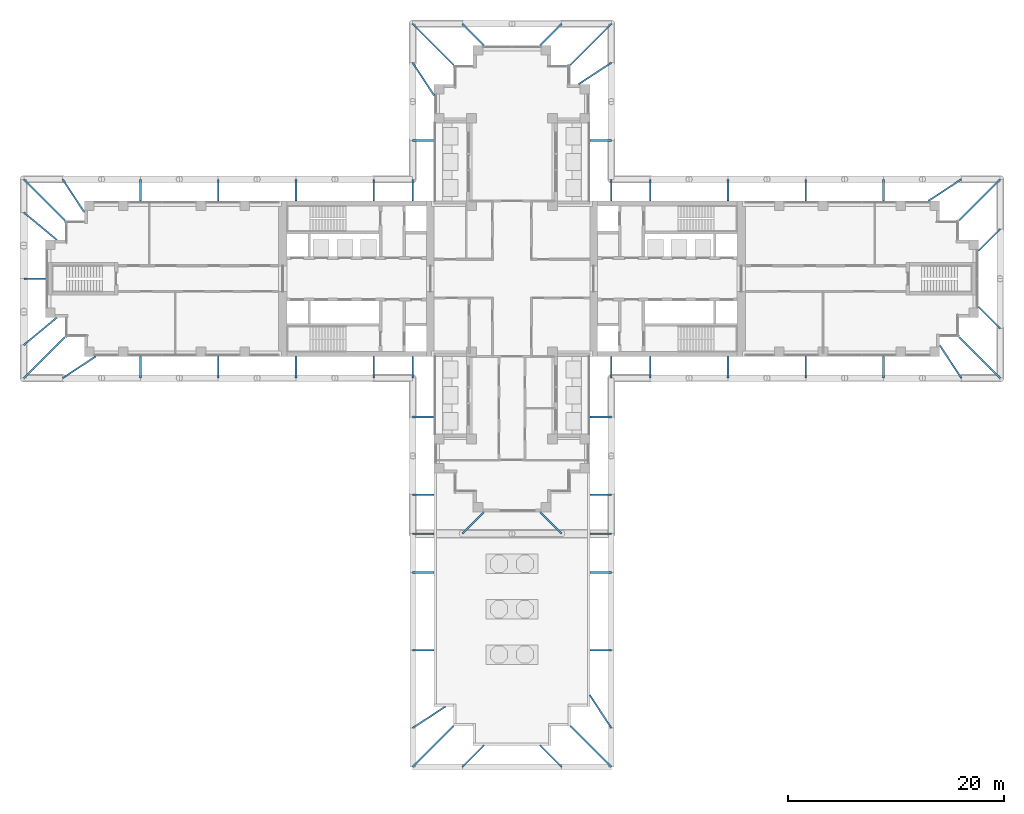
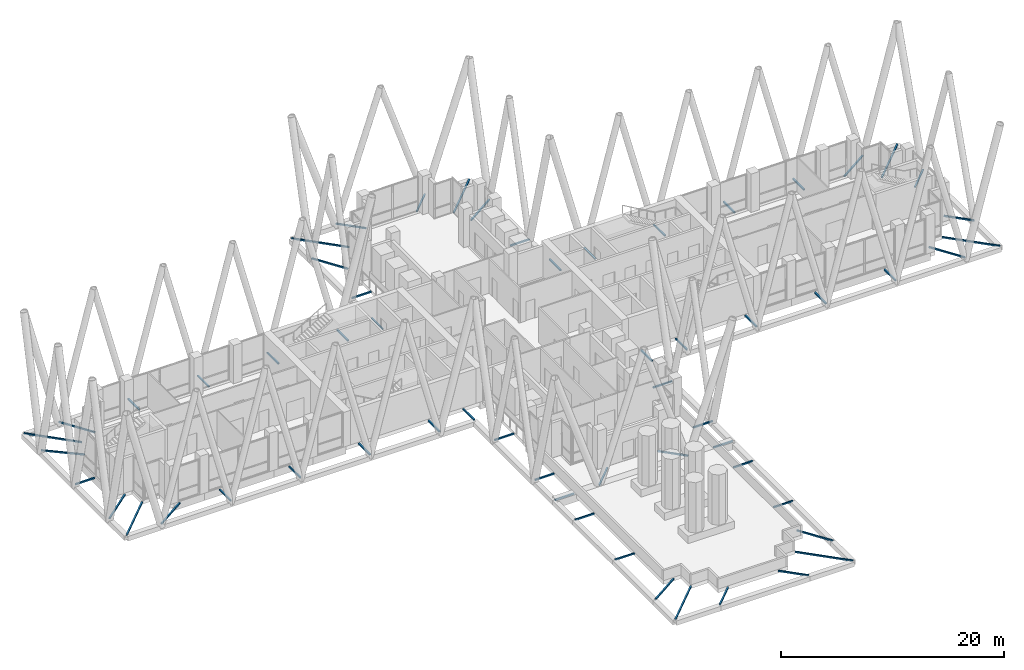
# One storey, part 19 of 22: 59 discrete accessories.
"""IFC4 building model written with IfcOpenShell, lengths in metres."""

from ifc_helpers import new_model, si_unit, direction, frame, origin, origin_2d, place, context, subcontext, project, spatial, hollow_rectangle, extrude, material, element, save


model = new_model("IFC4")

# Units and contexts
model_context = context("Model", 3, precision=1e-05, world=origin(), true_north=direction((0.0, 1.0)))
body_context = subcontext(model_context, "Body", "Model", "MODEL_VIEW")
ifc_project = project(units=[si_unit("LENGTHUNIT", "METRE"), si_unit("AREAUNIT", "SQUARE_METRE"), si_unit("VOLUMEUNIT", "CUBIC_METRE"), si_unit("PLANEANGLEUNIT", "RADIAN"), si_unit("MASSUNIT", "GRAM", prefix="KILO")], contexts=[model_context])

# Site, building, storey
site_placement = place(None, origin())
site = spatial("IfcSite", under=ifc_project, at=site_placement, CompositionType="ELEMENT")
building_placement = place(site_placement, origin())
building = spatial("IfcBuilding", under=site, at=building_placement, Name="Fustian Cross Tower", CompositionType="ELEMENT")
storey_placement = place(building_placement, frame((0.0, 0.0, 116.10009765625)))
storey = spatial("IfcBuildingStorey", under=building, at=storey_placement, Name="L36", CompositionType="ELEMENT", Elevation=116.10009765625)

# Discrete accessories
ifc_material = material(Name="Steel S355", Category="steel")
discrete_accessory_1_placement = place(storey_placement, frame((45.199951171875, 4.60009765625, -0.150146484375), z_axis=(-0.707106781187, -0.707106781187, 0.0), x_axis=(0.707106781187, -0.707106781187, 0.0)))
element("IfcDiscreteAccessory", 1, at=discrete_accessory_1_placement, inside=storey, material=ifc_material, Name="Diagrid node bracket L36-01", PredefinedType="BRACKET", context=body_context, shape_type="SweptSolid", body=[
    extrude(hollow_rectangle(XDim=0.14990234375, YDim=0.14990234375, WallThickness=0.010009765625, at=origin_2d()), origin(), (0.0, 0.0, 1.0), 2.828369140625),
])
discrete_accessory_2_placement = place(storey_placement, frame((45.199951171875, 9.199951171875, -0.150146484375), z_axis=(-0.707106781187, -0.707106781187, 0.0), x_axis=(0.707106781187, -0.707106781187, 0.0)))
element("IfcDiscreteAccessory", 2, at=discrete_accessory_2_placement, inside=storey, material=ifc_material, Name="Diagrid node bracket L36-02", PredefinedType="BRACKET", context=body_context, shape_type="SweptSolid", body=[
    extrude(hollow_rectangle(XDim=0.14990234375, YDim=0.14990234375, WallThickness=0.010009765625, at=origin_2d()), origin(), (0.0, 0.0, 1.0), 5.3740234375),
])
discrete_accessory_3_placement = place(storey_placement, frame((41.60009765625, 9.199951171875, -0.150146484375), z_axis=(-0.836248392914, -0.548350823241, 0.0), x_axis=(0.548350823241, -0.836248392914, 0.0)))
element("IfcDiscreteAccessory", 3, at=discrete_accessory_3_placement, inside=storey, material=ifc_material, Name="Diagrid node bracket L36-03", PredefinedType="BRACKET", context=body_context, shape_type="SweptSolid", body=[
    extrude(hollow_rectangle(XDim=0.14990234375, YDim=0.14990234375, WallThickness=0.010009765625, at=origin_2d()), origin(), (0.0, 0.0, 1.0), 3.647216796875),
])
for number, where, z_axis, x_axis, name in (
    (4, (34.39990234375, 9.199951171875, -0.150146484375), (0.0, -1.0, 0.0), (1.0, 0.0, 0.0), "Diagrid node bracket L36-04"),
    (5, (27.199951171875, 9.199951171875, -0.150146484375), (0.0, -1.0, 0.0), (1.0, 0.0, 0.0), "Diagrid node bracket L36-05"),
    (6, (20.0, 9.199951171875, -0.150146484375), (0.0, -1.0, 0.0), (1.0, 0.0, 0.0), "Diagrid node bracket L36-06"),
    (7, (12.800048828125, 9.199951171875, -0.150146484375), (0.0, -1.0, 0.0), (1.0, 0.0, 0.0), "Diagrid node bracket L36-07"),
    (8, (9.199951171875, 9.199951171875, -0.150146484375), (0.0, -1.0, 0.0), (1.0, 0.0, 0.0), "Diagrid node bracket L36-08"),
    (9, (9.199951171875, 12.800048828125, -0.150146484375), (-1.0, 0.0, 0.0), (0.0, -1.0, 0.0), "Diagrid node bracket L36-09"),
):
    element("IfcDiscreteAccessory", number, at=place(storey_placement, frame(where, z_axis=z_axis, x_axis=x_axis)), inside=storey, material=ifc_material, Name=name, PredefinedType="BRACKET", context=body_context, shape_type="SweptSolid", body=[
        extrude(hollow_rectangle(XDim=0.14990234375, YDim=0.14990234375, WallThickness=0.010009765625, at=origin_2d()), origin(), (0.0, 0.0, 1.0), 2.0),
    ])
discrete_accessory_4_placement = place(storey_placement, frame((9.199951171875, 20.0, -0.150146484375), z_axis=(-0.836248392914, -0.548350823241, 0.0), x_axis=(0.548350823241, -0.836248392914, 0.0)))
element("IfcDiscreteAccessory", 10, at=discrete_accessory_4_placement, inside=storey, material=ifc_material, Name="Diagrid node bracket L36-10", PredefinedType="BRACKET", context=body_context, shape_type="SweptSolid", body=[
    extrude(hollow_rectangle(XDim=0.14990234375, YDim=0.14990234375, WallThickness=0.010009765625, at=origin_2d()), origin(), (0.0, 0.0, 1.0), 3.647216796875),
])
discrete_accessory_5_placement = place(storey_placement, frame((9.199951171875, 23.60009765625, -0.150146484375), z_axis=(-0.707106781187, -0.707106781187, 0.0), x_axis=(0.707106781187, -0.707106781187, 0.0)))
element("IfcDiscreteAccessory", 11, at=discrete_accessory_5_placement, inside=storey, material=ifc_material, Name="Diagrid node bracket L36-11", PredefinedType="BRACKET", context=body_context, shape_type="SweptSolid", body=[
    extrude(hollow_rectangle(XDim=0.14990234375, YDim=0.14990234375, WallThickness=0.010009765625, at=origin_2d()), origin(), (0.0, 0.0, 1.0), 5.3740234375),
])
for number, where, z_axis, x_axis, name in (
    (12, (4.60009765625, 23.60009765625, -0.150146484375), (-0.707106781187, -0.707106781187, 0.0), (0.707106781187, -0.707106781187, 0.0), "Diagrid node bracket L36-12"),
    (13, (-4.60009765625, 23.60009765625, -0.150146484375), (0.707106781187, -0.707106781187, 0.0), (0.707106781187, 0.707106781187, 0.0), "Diagrid node bracket L36-13"),
):
    element("IfcDiscreteAccessory", number, at=place(storey_placement, frame(where, z_axis=z_axis, x_axis=x_axis)), inside=storey, material=ifc_material, Name=name, PredefinedType="BRACKET", context=body_context, shape_type="SweptSolid", body=[
        extrude(hollow_rectangle(XDim=0.14990234375, YDim=0.14990234375, WallThickness=0.010009765625, at=origin_2d()), origin(), (0.0, 0.0, 1.0), 2.828369140625),
    ])
discrete_accessory_6_placement = place(storey_placement, frame((-9.199951171875, 23.60009765625, -0.150146484375), z_axis=(0.707106781187, -0.707106781187, 0.0), x_axis=(0.707106781187, 0.707106781187, 0.0)))
element("IfcDiscreteAccessory", 14, at=discrete_accessory_6_placement, inside=storey, material=ifc_material, Name="Diagrid node bracket L36-14", PredefinedType="BRACKET", context=body_context, shape_type="SweptSolid", body=[
    extrude(hollow_rectangle(XDim=0.14990234375, YDim=0.14990234375, WallThickness=0.010009765625, at=origin_2d()), origin(), (0.0, 0.0, 1.0), 5.3740234375),
])
discrete_accessory_7_placement = place(storey_placement, frame((-9.199951171875, 20.0, -0.150146484375), z_axis=(0.548350823241, -0.836248392914, 0.0), x_axis=(0.836248392914, 0.548350823241, 0.0)))
element("IfcDiscreteAccessory", 15, at=discrete_accessory_7_placement, inside=storey, material=ifc_material, Name="Diagrid node bracket L36-15", PredefinedType="BRACKET", context=body_context, shape_type="SweptSolid", body=[
    extrude(hollow_rectangle(XDim=0.14990234375, YDim=0.14990234375, WallThickness=0.010009765625, at=origin_2d()), origin(), (0.0, 0.0, 1.0), 3.647216796875),
])
for number, where, z_axis, x_axis, name in (
    (16, (-9.199951171875, 12.800048828125, -0.150146484375), (1.0, 0.0, 0.0), (0.0, 1.0, 0.0), "Diagrid node bracket L36-16"),
    (17, (-9.199951171875, 9.199951171875, -0.150146484375), (0.0, -1.0, 0.0), (1.0, 0.0, 0.0), "Diagrid node bracket L36-17"),
    (18, (-12.800048828125, 9.199951171875, -0.150146484375), (0.0, -1.0, 0.0), (1.0, 0.0, 0.0), "Diagrid node bracket L36-18"),
    (19, (-20.0, 9.199951171875, -0.150146484375), (0.0, -1.0, 0.0), (1.0, 0.0, 0.0), "Diagrid node bracket L36-19"),
    (20, (-27.199951171875, 9.199951171875, -0.150146484375), (0.0, -1.0, 0.0), (1.0, 0.0, 0.0), "Diagrid node bracket L36-20"),
    (21, (-34.39990234375, 9.199951171875, -0.150146484375), (0.0, -1.0, 0.0), (1.0, 0.0, 0.0), "Diagrid node bracket L36-21"),
):
    element("IfcDiscreteAccessory", number, at=place(storey_placement, frame(where, z_axis=z_axis, x_axis=x_axis)), inside=storey, material=ifc_material, Name=name, PredefinedType="BRACKET", context=body_context, shape_type="SweptSolid", body=[
        extrude(hollow_rectangle(XDim=0.14990234375, YDim=0.14990234375, WallThickness=0.010009765625, at=origin_2d()), origin(), (0.0, 0.0, 1.0), 2.0),
    ])
discrete_accessory_8_placement = place(storey_placement, frame((-41.60009765625, 9.199951171875, -0.150146484375), z_axis=(0.548350823241, -0.836248392914, 0.0), x_axis=(0.836248392914, 0.548350823241, 0.0)))
element("IfcDiscreteAccessory", 22, at=discrete_accessory_8_placement, inside=storey, material=ifc_material, Name="Diagrid node bracket L36-22", PredefinedType="BRACKET", context=body_context, shape_type="SweptSolid", body=[
    extrude(hollow_rectangle(XDim=0.14990234375, YDim=0.14990234375, WallThickness=0.010009765625, at=origin_2d()), origin(), (0.0, 0.0, 1.0), 3.647216796875),
])
discrete_accessory_9_placement = place(storey_placement, frame((-45.199951171875, 9.199951171875, -0.150146484375), z_axis=(0.707106781187, -0.707106781187, 0.0), x_axis=(0.707106781187, 0.707106781187, 0.0)))
element("IfcDiscreteAccessory", 23, at=discrete_accessory_9_placement, inside=storey, material=ifc_material, Name="Diagrid node bracket L36-23", PredefinedType="BRACKET", context=body_context, shape_type="SweptSolid", body=[
    extrude(hollow_rectangle(XDim=0.14990234375, YDim=0.14990234375, WallThickness=0.010009765625, at=origin_2d()), origin(), (0.0, 0.0, 1.0), 5.3740234375),
])
discrete_accessory_10_placement = place(storey_placement, frame((-45.199951171875, 6.13330078125, -0.150146484375), z_axis=(0.769275112648, -0.638917679408, 0.0), x_axis=(0.638917679408, 0.769275112648, 0.0)))
element("IfcDiscreteAccessory", 24, at=discrete_accessory_10_placement, inside=storey, material=ifc_material, Name="Diagrid node bracket L36-24", PredefinedType="BRACKET", context=body_context, shape_type="SweptSolid", body=[
    extrude(hollow_rectangle(XDim=0.14990234375, YDim=0.14990234375, WallThickness=0.010009765625, at=origin_2d()), origin(), (0.0, 0.0, 1.0), 3.96484375),
])
discrete_accessory_11_placement = place(storey_placement, frame((-45.199951171875, 0.0, -0.150146484375), z_axis=(1.0, 0.0, 0.0), x_axis=(0.0, 1.0, 0.0)))
element("IfcDiscreteAccessory", 25, at=discrete_accessory_11_placement, inside=storey, material=ifc_material, Name="Diagrid node bracket L36-25", PredefinedType="BRACKET", context=body_context, shape_type="SweptSolid", body=[
    extrude(hollow_rectangle(XDim=0.14990234375, YDim=0.14990234375, WallThickness=0.010009765625, at=origin_2d()), origin(), (0.0, 0.0, 1.0), 2.0),
])
discrete_accessory_12_placement = place(storey_placement, frame((-45.199951171875, -6.13330078125, -0.150146484375), z_axis=(0.769275112648, 0.638917679408, 0.0), x_axis=(-0.638917679408, 0.769275112648, 0.0)))
element("IfcDiscreteAccessory", 26, at=discrete_accessory_12_placement, inside=storey, material=ifc_material, Name="Diagrid node bracket L36-26", PredefinedType="BRACKET", context=body_context, shape_type="SweptSolid", body=[
    extrude(hollow_rectangle(XDim=0.14990234375, YDim=0.14990234375, WallThickness=0.010009765625, at=origin_2d()), origin(), (0.0, 0.0, 1.0), 3.96484375),
])
discrete_accessory_13_placement = place(storey_placement, frame((-45.199951171875, -9.199951171875, -0.150146484375), z_axis=(0.707106781187, 0.707106781187, 0.0), x_axis=(-0.707106781187, 0.707106781187, 0.0)))
element("IfcDiscreteAccessory", 27, at=discrete_accessory_13_placement, inside=storey, material=ifc_material, Name="Diagrid node bracket L36-27", PredefinedType="BRACKET", context=body_context, shape_type="SweptSolid", body=[
    extrude(hollow_rectangle(XDim=0.14990234375, YDim=0.14990234375, WallThickness=0.010009765625, at=origin_2d()), origin(), (0.0, 0.0, 1.0), 5.3740234375),
])
discrete_accessory_14_placement = place(storey_placement, frame((-41.60009765625, -9.199951171875, -0.150146484375), z_axis=(0.836248392914, 0.548350823241, 0.0), x_axis=(-0.548350823241, 0.836248392914, 0.0)))
element("IfcDiscreteAccessory", 28, at=discrete_accessory_14_placement, inside=storey, material=ifc_material, Name="Diagrid node bracket L36-28", PredefinedType="BRACKET", context=body_context, shape_type="SweptSolid", body=[
    extrude(hollow_rectangle(XDim=0.14990234375, YDim=0.14990234375, WallThickness=0.010009765625, at=origin_2d()), origin(), (0.0, 0.0, 1.0), 3.647216796875),
])
for number, where, z_axis, x_axis, name in (
    (29, (-34.39990234375, -9.199951171875, -0.150146484375), (0.0, 1.0, 0.0), (-1.0, 0.0, 0.0), "Diagrid node bracket L36-29"),
    (30, (-27.199951171875, -9.199951171875, -0.150146484375), (0.0, 1.0, 0.0), (-1.0, 0.0, 0.0), "Diagrid node bracket L36-30"),
    (31, (-20.0, -9.199951171875, -0.150146484375), (0.0, 1.0, 0.0), (-1.0, 0.0, 0.0), "Diagrid node bracket L36-31"),
    (32, (-12.800048828125, -9.199951171875, -0.150146484375), (0.0, 1.0, 0.0), (-1.0, 0.0, 0.0), "Diagrid node bracket L36-32"),
    (33, (-9.199951171875, -9.199951171875, -0.150146484375), (0.0, 1.0, 0.0), (-1.0, 0.0, 0.0), "Diagrid node bracket L36-33"),
    (34, (-9.199951171875, -12.800048828125, -0.150146484375), (1.0, 0.0, 0.0), (0.0, 1.0, 0.0), "Diagrid node bracket L36-34"),
    (35, (-9.199951171875, -20.0, -0.150146484375), (1.0, 0.0, 0.0), (0.0, 1.0, 0.0), "Diagrid node bracket L36-35"),
    (36, (-9.199951171875, -23.60009765625, -0.150146484375), (1.0, 0.0, 0.0), (0.0, 1.0, 0.0), "Diagrid node bracket L36-36"),
    (37, (-9.199951171875, -27.199951171875, -0.150146484375), (1.0, 0.0, 0.0), (0.0, 1.0, 0.0), "Diagrid node bracket L36-37"),
    (38, (-9.199951171875, -34.39990234375, -0.150146484375), (1.0, 0.0, 0.0), (0.0, 1.0, 0.0), "Diagrid node bracket L36-38"),
):
    element("IfcDiscreteAccessory", number, at=place(storey_placement, frame(where, z_axis=z_axis, x_axis=x_axis)), inside=storey, material=ifc_material, Name=name, PredefinedType="BRACKET", context=body_context, shape_type="SweptSolid", body=[
        extrude(hollow_rectangle(XDim=0.14990234375, YDim=0.14990234375, WallThickness=0.010009765625, at=origin_2d()), origin(), (0.0, 0.0, 1.0), 2.0),
    ])
discrete_accessory_15_placement = place(storey_placement, frame((-9.199951171875, -41.60009765625, -0.150146484375), z_axis=(0.836248392914, 0.548350823241, 0.0), x_axis=(-0.548350823241, 0.836248392914, 0.0)))
element("IfcDiscreteAccessory", 39, at=discrete_accessory_15_placement, inside=storey, material=ifc_material, Name="Diagrid node bracket L36-39", PredefinedType="BRACKET", context=body_context, shape_type="SweptSolid", body=[
    extrude(hollow_rectangle(XDim=0.14990234375, YDim=0.14990234375, WallThickness=0.010009765625, at=origin_2d()), origin(), (0.0, 0.0, 1.0), 3.647216796875),
])
discrete_accessory_16_placement = place(storey_placement, frame((-9.199951171875, -45.199951171875, -0.150146484375), z_axis=(0.707106781187, 0.707106781187, 0.0), x_axis=(-0.707106781187, 0.707106781187, 0.0)))
element("IfcDiscreteAccessory", 40, at=discrete_accessory_16_placement, inside=storey, material=ifc_material, Name="Diagrid node bracket L36-40", PredefinedType="BRACKET", context=body_context, shape_type="SweptSolid", body=[
    extrude(hollow_rectangle(XDim=0.14990234375, YDim=0.14990234375, WallThickness=0.010009765625, at=origin_2d()), origin(), (0.0, 0.0, 1.0), 5.3740234375),
])
for number, where, z_axis, x_axis, name in (
    (41, (-4.60009765625, -23.60009765625, -0.150146484375), (0.707106781187, 0.707106781187, 0.0), (-0.707106781187, 0.707106781187, 0.0), "Diagrid node bracket L36-41"),
    (42, (-4.60009765625, -45.199951171875, -0.150146484375), (0.707106781187, 0.707106781187, 0.0), (-0.707106781187, 0.707106781187, 0.0), "Diagrid node bracket L36-42"),
    (43, (4.60009765625, -45.199951171875, -0.150146484375), (-0.707106781187, 0.707106781187, 0.0), (-0.707106781187, -0.707106781187, 0.0), "Diagrid node bracket L36-43"),
    (44, (4.60009765625, -23.60009765625, -0.150146484375), (-0.707106781187, 0.707106781187, 0.0), (-0.707106781187, -0.707106781187, 0.0), "Diagrid node bracket L36-44"),
):
    element("IfcDiscreteAccessory", number, at=place(storey_placement, frame(where, z_axis=z_axis, x_axis=x_axis)), inside=storey, material=ifc_material, Name=name, PredefinedType="BRACKET", context=body_context, shape_type="SweptSolid", body=[
        extrude(hollow_rectangle(XDim=0.14990234375, YDim=0.14990234375, WallThickness=0.010009765625, at=origin_2d()), origin(), (0.0, 0.0, 1.0), 2.828369140625),
    ])
discrete_accessory_17_placement = place(storey_placement, frame((9.199951171875, -45.199951171875, -0.150146484375), z_axis=(-0.707106781187, 0.707106781187, 0.0), x_axis=(-0.707106781187, -0.707106781187, 0.0)))
element("IfcDiscreteAccessory", 45, at=discrete_accessory_17_placement, inside=storey, material=ifc_material, Name="Diagrid node bracket L36-45", PredefinedType="BRACKET", context=body_context, shape_type="SweptSolid", body=[
    extrude(hollow_rectangle(XDim=0.14990234375, YDim=0.14990234375, WallThickness=0.010009765625, at=origin_2d()), origin(), (0.0, 0.0, 1.0), 5.3740234375),
])
discrete_accessory_18_placement = place(storey_placement, frame((9.199951171875, -41.60009765625, -0.150146484375), z_axis=(-0.548350823241, 0.836248392914, 0.0), x_axis=(-0.836248392914, -0.548350823241, 0.0)))
element("IfcDiscreteAccessory", 46, at=discrete_accessory_18_placement, inside=storey, material=ifc_material, Name="Diagrid node bracket L36-46", PredefinedType="BRACKET", context=body_context, shape_type="SweptSolid", body=[
    extrude(hollow_rectangle(XDim=0.14990234375, YDim=0.14990234375, WallThickness=0.010009765625, at=origin_2d()), origin(), (0.0, 0.0, 1.0), 3.647216796875),
])
for number, where, z_axis, x_axis, name in (
    (47, (9.199951171875, -34.39990234375, -0.150146484375), (-1.0, 0.0, 0.0), (0.0, -1.0, 0.0), "Diagrid node bracket L36-47"),
    (48, (9.199951171875, -27.199951171875, -0.150146484375), (-1.0, 0.0, 0.0), (0.0, -1.0, 0.0), "Diagrid node bracket L36-48"),
    (49, (9.199951171875, -23.60009765625, -0.150146484375), (-1.0, 0.0, 0.0), (0.0, -1.0, 0.0), "Diagrid node bracket L36-49"),
    (50, (9.199951171875, -20.0, -0.150146484375), (-1.0, 0.0, 0.0), (0.0, -1.0, 0.0), "Diagrid node bracket L36-50"),
    (51, (9.199951171875, -12.800048828125, -0.150146484375), (-1.0, 0.0, 0.0), (0.0, -1.0, 0.0), "Diagrid node bracket L36-51"),
    (52, (9.199951171875, -9.199951171875, -0.150146484375), (0.0, 1.0, 0.0), (-1.0, 0.0, 0.0), "Diagrid node bracket L36-52"),
    (53, (12.800048828125, -9.199951171875, -0.150146484375), (0.0, 1.0, 0.0), (-1.0, 0.0, 0.0), "Diagrid node bracket L36-53"),
    (54, (20.0, -9.199951171875, -0.150146484375), (0.0, 1.0, 0.0), (-1.0, 0.0, 0.0), "Diagrid node bracket L36-54"),
    (55, (27.199951171875, -9.199951171875, -0.150146484375), (0.0, 1.0, 0.0), (-1.0, 0.0, 0.0), "Diagrid node bracket L36-55"),
    (56, (34.39990234375, -9.199951171875, -0.150146484375), (0.0, 1.0, 0.0), (-1.0, 0.0, 0.0), "Diagrid node bracket L36-56"),
):
    element("IfcDiscreteAccessory", number, at=place(storey_placement, frame(where, z_axis=z_axis, x_axis=x_axis)), inside=storey, material=ifc_material, Name=name, PredefinedType="BRACKET", context=body_context, shape_type="SweptSolid", body=[
        extrude(hollow_rectangle(XDim=0.14990234375, YDim=0.14990234375, WallThickness=0.010009765625, at=origin_2d()), origin(), (0.0, 0.0, 1.0), 2.0),
    ])
discrete_accessory_19_placement = place(storey_placement, frame((41.60009765625, -9.199951171875, -0.150146484375), z_axis=(-0.548350823241, 0.836248392914, 0.0), x_axis=(-0.836248392914, -0.548350823241, 0.0)))
element("IfcDiscreteAccessory", 57, at=discrete_accessory_19_placement, inside=storey, material=ifc_material, Name="Diagrid node bracket L36-57", PredefinedType="BRACKET", context=body_context, shape_type="SweptSolid", body=[
    extrude(hollow_rectangle(XDim=0.14990234375, YDim=0.14990234375, WallThickness=0.010009765625, at=origin_2d()), origin(), (0.0, 0.0, 1.0), 3.647216796875),
])
discrete_accessory_20_placement = place(storey_placement, frame((45.199951171875, -9.199951171875, -0.150146484375), z_axis=(-0.707106781187, 0.707106781187, 0.0), x_axis=(-0.707106781187, -0.707106781187, 0.0)))
element("IfcDiscreteAccessory", 58, at=discrete_accessory_20_placement, inside=storey, material=ifc_material, Name="Diagrid node bracket L36-58", PredefinedType="BRACKET", context=body_context, shape_type="SweptSolid", body=[
    extrude(hollow_rectangle(XDim=0.14990234375, YDim=0.14990234375, WallThickness=0.010009765625, at=origin_2d()), origin(), (0.0, 0.0, 1.0), 5.3740234375),
])
discrete_accessory_21_placement = place(storey_placement, frame((45.199951171875, -4.60009765625, -0.150146484375), z_axis=(-0.707106781187, 0.707106781187, 0.0), x_axis=(-0.707106781187, -0.707106781187, 0.0)))
element("IfcDiscreteAccessory", 59, at=discrete_accessory_21_placement, inside=storey, material=ifc_material, Name="Diagrid node bracket L36-59", PredefinedType="BRACKET", context=body_context, shape_type="SweptSolid", body=[
    extrude(hollow_rectangle(XDim=0.14990234375, YDim=0.14990234375, WallThickness=0.010009765625, at=origin_2d()), origin(), (0.0, 0.0, 1.0), 2.828369140625),
])

save(model, "model.ifc")
